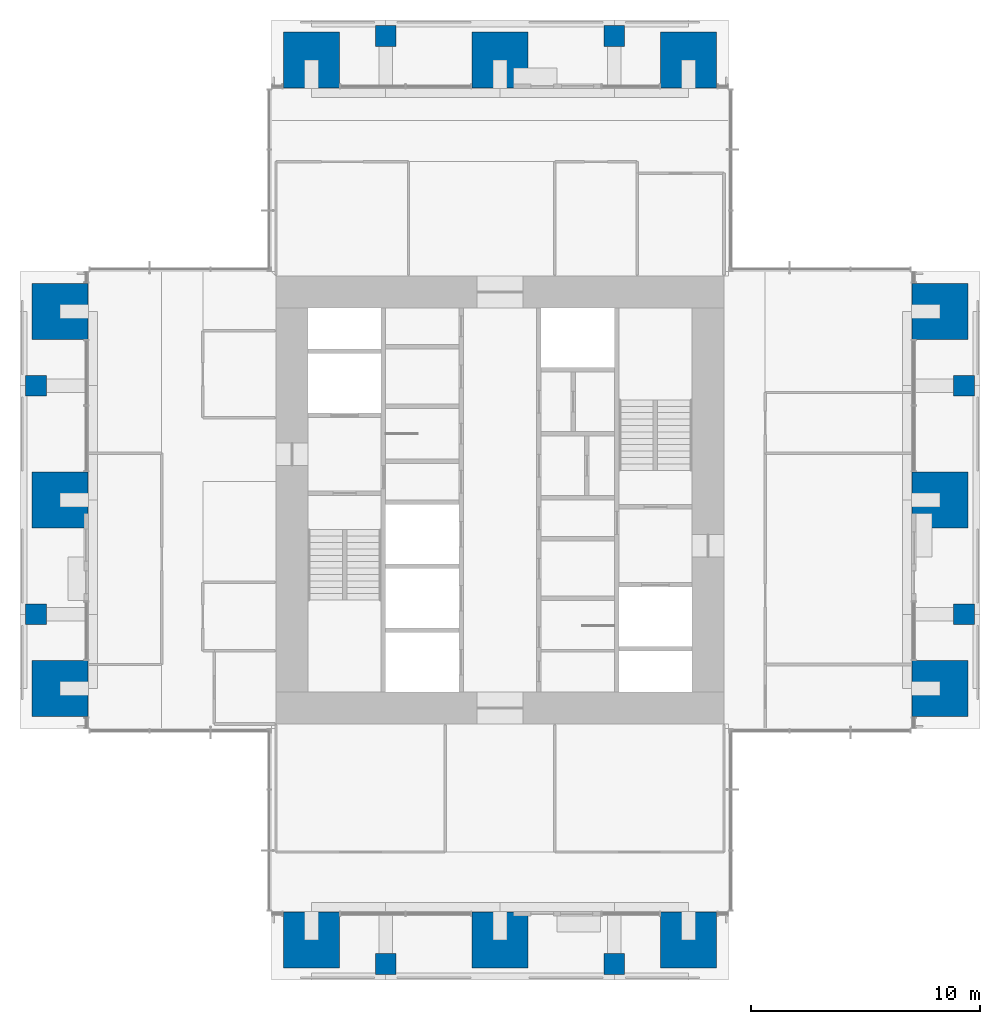
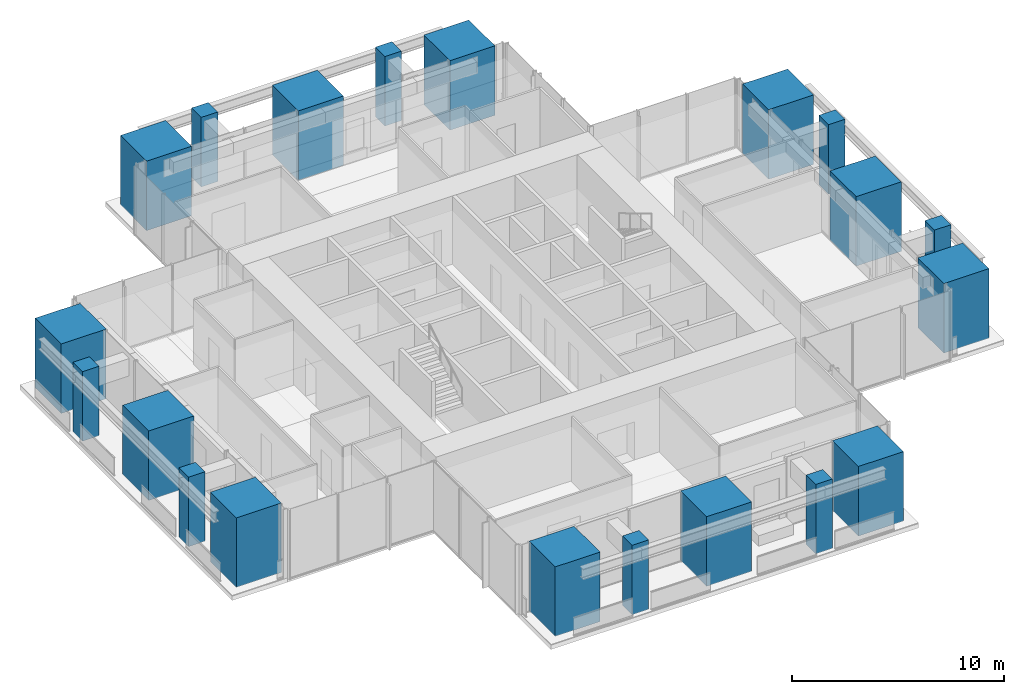
# One storey, part 1 of 17: 20 columns.
"""IFC4 building model written with IfcOpenShell, lengths in metres."""

from ifc_helpers import new_model, si_unit, direction, frame, origin, origin_2d, place, context, subcontext, project, spatial, rectangle, extrude, material, material_profile, profile_set, type_object, element, save


model = new_model("IFC4")

# Units and contexts
model_context = context("Model", 3, precision=1e-05, world=origin(), true_north=direction((0.0, 1.0)))
body_context = subcontext(model_context, "Body", "Model", "MODEL_VIEW")
ifc_project = project(units=[si_unit("LENGTHUNIT", "METRE"), si_unit("AREAUNIT", "SQUARE_METRE"), si_unit("VOLUMEUNIT", "CUBIC_METRE"), si_unit("PLANEANGLEUNIT", "RADIAN"), si_unit("MASSUNIT", "GRAM", prefix="KILO")], contexts=[model_context])

# Site, building, storey
site_placement = place(None, origin())
site = spatial("IfcSite", under=ifc_project, at=site_placement, CompositionType="ELEMENT")
building_placement = place(site_placement, origin())
building = spatial("IfcBuilding", under=site, at=building_placement, Name="Svetlomir Tower", CompositionType="ELEMENT")
storey_placement = place(building_placement, frame((0.0, 0.0, 210.5)))
storey = spatial("IfcBuildingStorey", under=building, at=storey_placement, Name="L50", CompositionType="ELEMENT", Elevation=210.5)

# Columns
ifc_material_1 = material(Name="Concrete C60/75", Category="concrete")
ifc_material_profile_1 = material_profile(ifc_material_1, rectangle(XDim=2.449951171875, YDim=2.449951171875, at=origin_2d()), Name="RC 2450x2450")
ifc_profile_set_1 = profile_set([ifc_material_profile_1], Name="Concrete C60/75")
column_type_1 = type_object("IfcColumnType", Name="COLUMN RC 2450x2450", PredefinedType="COLUMN", material=ifc_profile_set_1)
for number, where, z_axis, x_axis, name in (
    (1, (12.75, 1.75, 0.0), (0.0, 0.0, 1.0), (1.0, 0.0, 0.0), "Column 11/0 L50"),
    (2, (21.0, 1.75, 0.0), (0.0, 0.0, 1.0), (1.0, 0.0, 0.0), "Column 21/0 L50"),
    (3, (29.25, 1.75, 0.0), (0.0, 0.0, 1.0), (1.0, 0.0, 0.0), "Column 31/0 L50"),
    (4, (1.75, 12.75, 0.0), (0.0, 0.0, 1.0), (1.0, 0.0, 0.0), "Column 0/11 L50"),
    (5, (40.25, 12.75, 0.0), (0.0, 0.0, 1.0), (1.0, 0.0, 0.0), "Column 42/11 L50"),
    (6, (1.75, 21.0, 0.0), (0.0, 0.0, 1.0), (1.0, 0.0, 0.0), "Column 0/21 L50"),
    (7, (40.25, 21.0, 0.0), (0.0, 0.0, 1.0), (1.0, 0.0, 0.0), "Column 42/21 L50"),
    (8, (1.75, 29.25, 0.0), (0.0, 0.0, 1.0), (1.0, 0.0, 0.0), "Column 0/31 L50"),
    (9, (40.25, 29.25, 0.0), (0.0, 0.0, 1.0), (1.0, 0.0, 0.0), "Column 42/31 L50"),
    (10, (12.75, 40.25, 0.0), (0.0, 0.0, 1.0), (1.0, 0.0, 0.0), "Column 11/42 L50"),
    (11, (21.0, 40.25, 0.0), (0.0, 0.0, 1.0), (1.0, 0.0, 0.0), "Column 21/42 L50"),
    (12, (29.25, 40.25, 0.0), (0.0, 0.0, 1.0), (1.0, 0.0, 0.0), "Column 31/42 L50"),
):
    element("IfcColumn", number, at=place(storey_placement, frame(where, z_axis=z_axis, x_axis=x_axis)), inside=storey, type_object=column_type_1, Name=name, PredefinedType="COLUMN", context=body_context, shape_type="SweptSolid", body=[
        extrude(rectangle(XDim=2.449951171875, YDim=2.449951171875, at=origin_2d()), origin(), (0.0, 0.0, 1.0), 4.0),
    ])
ifc_material_2 = material(Name="Concrete C60/75", Category="concrete")
ifc_material_profile_2 = material_profile(ifc_material_2, rectangle(XDim=0.89990234375, YDim=0.89990234375, at=origin_2d()), Name="RC 900x900")
ifc_profile_set_2 = profile_set([ifc_material_profile_2], Name="Concrete C60/75")
column_type_2 = type_object("IfcColumnType", Name="COLUMN RC 900x900", PredefinedType="COLUMN", material=ifc_profile_set_2)
for number, where, z_axis, x_axis, name in (
    (13, (16.0, 0.699951171875, 0.0), (0.0, 0.0, 1.0), (1.0, 0.0, 0.0), "Column 16/0 L50"),
    (14, (26.0, 0.699951171875, 0.0), (0.0, 0.0, 1.0), (1.0, 0.0, 0.0), "Column 26/0 L50"),
    (15, (0.699951171875, 16.0, 0.0), (0.0, 0.0, 1.0), (1.0, 0.0, 0.0), "Column 0/16 L50"),
    (16, (41.300048828125, 16.0, 0.0), (0.0, 0.0, 1.0), (1.0, 0.0, 0.0), "Column 42/16 L50"),
    (17, (0.699951171875, 26.0, 0.0), (0.0, 0.0, 1.0), (1.0, 0.0, 0.0), "Column 0/26 L50"),
    (18, (41.300048828125, 26.0, 0.0), (0.0, 0.0, 1.0), (1.0, 0.0, 0.0), "Column 42/26 L50"),
    (19, (16.0, 41.300048828125, 0.0), (0.0, 0.0, 1.0), (1.0, 0.0, 0.0), "Column 16/42 L50"),
    (20, (26.0, 41.300048828125, 0.0), (0.0, 0.0, 1.0), (1.0, 0.0, 0.0), "Column 26/42 L50"),
):
    element("IfcColumn", number, at=place(storey_placement, frame(where, z_axis=z_axis, x_axis=x_axis)), inside=storey, type_object=column_type_2, Name=name, PredefinedType="COLUMN", context=body_context, shape_type="SweptSolid", body=[
        extrude(rectangle(XDim=0.89990234375, YDim=0.89990234375, at=origin_2d()), origin(), (0.0, 0.0, 1.0), 4.0),
    ])

save(model, "model.ifc")
